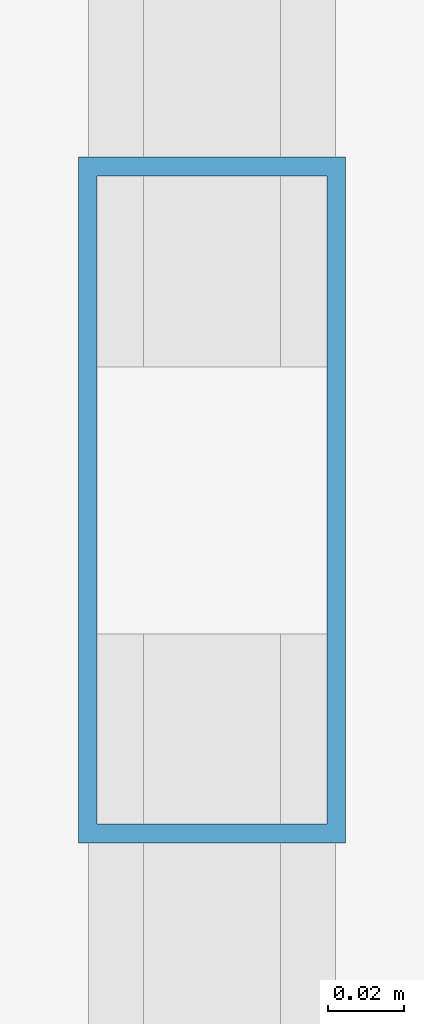
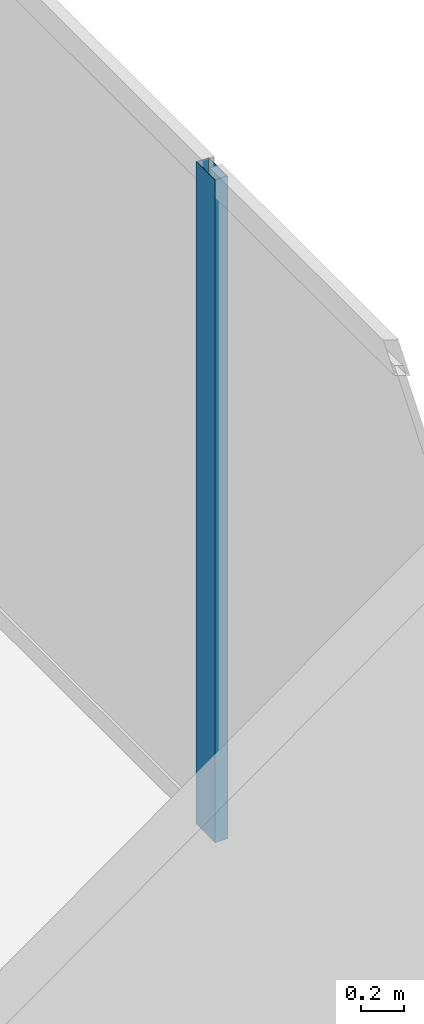
# One storey, part 24 of 33: 1 member, 1 element without a shape of its own.
"""IFC4 building model written with IfcOpenShell, lengths in metres."""

import ifcopenshell
import ifcopenshell.guid

model = None  # the IFC model being written
_history = None  # IfcOwnerHistory: only IFC2X3 demands one
_inside = {}  # id of a spatial element -> (the spatial element, [elements in it])
_under = {}  # id of a project, library or spatial element -> (it, [spatial elements below it])
_declared = {}  # id of a project -> (the project, [libraries it declares])
_typed = {}  # id of a type object -> (the type object, [elements of that type])
_made_of = {}  # id of a material, layer set ... -> (it, [elements and type objects made of it])


def new_model(schema):
    """Start an empty IFC model of exactly this schema.

    Asked for "IFC4X3", IfcOpenShell would pick the latest addendum, in which some entities
    have other attributes; the version numbers below select the first issue.
    IFC2X3 requires an IfcOwnerHistory on every rooted entity: one is made here for all.
    """
    global model, _history
    if schema == "IFC4X3":
        model = ifcopenshell.file(schema_version=(4, 3, 0, 0))
    else:
        model = ifcopenshell.file(schema=schema)
    _inside.clear()
    _under.clear()
    _declared.clear()
    _typed.clear()
    _made_of.clear()
    _history = None
    if model.schema == "IFC2X3":
        org = make("IfcOrganization", Name="unknown")
        user = make(
            "IfcPersonAndOrganization",
            ThePerson=make("IfcPerson", FamilyName="unknown"),
            TheOrganization=org,
        )
        app = make(
            "IfcApplication",
            ApplicationDeveloper=org,
            Version="unknown",
            ApplicationFullName="unknown",
            ApplicationIdentifier="unknown",
        )
        _history = make(
            "IfcOwnerHistory",
            OwningUser=user,
            OwningApplication=app,
            ChangeAction="ADDED",
            CreationDate=0,
        )
    return model


def make(cls, **values):
    """One entity of the class cls with the attributes given. An attribute that is None is left unset."""
    return model.create_entity(
        cls, **{name: value for name, value in values.items() if value is not None}
    )


def rooted(cls, **values):
    """An entity with a GlobalId (a new one), such as an element, a storey or a relation."""
    return make(cls, GlobalId=ifcopenshell.guid.new(), OwnerHistory=_history, **values)


def si_unit(unit_type, name, prefix=None):
    """IfcSIUnit, for example si_unit("LENGTHUNIT", "METRE", prefix="MILLI")."""
    return make("IfcSIUnit", UnitType=unit_type, Prefix=prefix, Name=name)


def assignment(units):
    """IfcUnitAssignment: the units of a project."""
    return None if units is None else make("IfcUnitAssignment", Units=units)


def point(xyz):
    """IfcCartesianPoint."""
    return None if xyz is None else make("IfcCartesianPoint", Coordinates=xyz)


def direction(xyz):
    """IfcDirection."""
    return None if xyz is None else make("IfcDirection", DirectionRatios=xyz)


def frame(location, z_axis=None, x_axis=None):
    """IfcAxis2Placement3D, a coordinate frame: its origin and axes. An axis left out is left unset."""
    return make(
        "IfcAxis2Placement3D",
        Location=point(location),
        Axis=direction(z_axis),
        RefDirection=direction(x_axis),
    )


def frame_2d(location, x_axis=None):
    """IfcAxis2Placement2D, a coordinate frame in the plane: its origin and x axis."""
    return make(
        "IfcAxis2Placement2D", Location=point(location), RefDirection=direction(x_axis)
    )


def origin():
    """The frame at (0, 0, 0) with its axes left unset."""
    return frame((0.0, 0.0, 0.0))


def origin_2d():
    """The frame at (0, 0) in the plane with its x axis left unset."""
    return frame_2d((0.0, 0.0))


def place(relative_to, where):
    """IfcLocalPlacement: puts the frame where relative to a parent placement (None: the world)."""
    return make(
        "IfcLocalPlacement", PlacementRelTo=relative_to, RelativePlacement=where
    )


def context(
    kind, dimensions, precision=None, world=None, true_north=None, identifier=None
):
    """IfcGeometricRepresentationContext, for example the 3D "Model" context."""
    return make(
        "IfcGeometricRepresentationContext",
        ContextIdentifier=identifier,
        ContextType=kind,
        CoordinateSpaceDimension=dimensions,
        Precision=precision,
        WorldCoordinateSystem=world,
        TrueNorth=true_north,
    )


def subcontext(parent, identifier, kind, view, scale=None):
    """IfcGeometricRepresentationSubContext, for example "Body" below "Model"."""
    return make(
        "IfcGeometricRepresentationSubContext",
        ContextIdentifier=identifier,
        ContextType=kind,
        ParentContext=parent,
        TargetScale=scale,
        TargetView=view,
    )


def project(units=None, contexts=None):
    """IfcProject with its units and contexts."""
    return rooted(
        "IfcProject",
        Name="project",
        RepresentationContexts=contexts,
        UnitsInContext=assignment(units),
    )


def spatial(cls, under=None, at=None, **own):
    """A site, building, storey or space (cls), placed at a placement, below another one or the project."""
    s = rooted(cls, ObjectPlacement=at, **own)
    if under is not None:
        _under.setdefault(under.id(), (under, []))[1].append(s)
    return s


def profile(cls, at=None, kind="AREA", **sizes):
    """A parametric profile (cls). Its sizes go by their IFC names, for example OverallWidth=200.0."""
    return make(cls, ProfileType=kind, Position=at, **sizes)


def hollow_rectangle(**sizes):
    """IfcRectangleHollowProfileDef."""
    return profile("IfcRectangleHollowProfileDef", **sizes)


def extrude(swept, where, along, depth):
    """IfcExtrudedAreaSolid: the profile swept, set in the frame where, extruded along a direction by depth."""
    return make(
        "IfcExtrudedAreaSolid",
        SweptArea=swept,
        Position=where,
        ExtrudedDirection=direction(along),
        Depth=depth,
    )


def shape(context_of_items, identifier, shape_type, items):
    """IfcShapeRepresentation: the items that make up one representation, for example the "Body"."""
    return make(
        "IfcShapeRepresentation",
        ContextOfItems=context_of_items,
        RepresentationIdentifier=identifier,
        RepresentationType=shape_type,
        Items=items,
    )


def source(mapping_origin, context_of_items, identifier, shape_type, items):
    """IfcRepresentationMap: a shape defined once, which mapped items show again and again."""
    return make(
        "IfcRepresentationMap",
        MappingOrigin=mapping_origin,
        MappedRepresentation=shape(context_of_items, identifier, shape_type, items),
    )


def transform(
    local_origin,
    x_axis=None,
    y_axis=None,
    z_axis=None,
    scale=None,
    scale2=None,
    scale3=None,
    uniform=True,
):
    """IfcCartesianTransformationOperator3D, or its non-uniform kind. x_axis, y_axis, z_axis: its Axis1, 2, 3."""
    if uniform:
        return make(
            "IfcCartesianTransformationOperator3D",
            Axis1=direction(x_axis),
            Axis2=direction(y_axis),
            LocalOrigin=point(local_origin),
            Scale=scale,
            Axis3=direction(z_axis),
        )
    return make(
        "IfcCartesianTransformationOperator3DnonUniform",
        Axis1=direction(x_axis),
        Axis2=direction(y_axis),
        LocalOrigin=point(local_origin),
        Scale=scale,
        Axis3=direction(z_axis),
        Scale2=scale2,
        Scale3=scale3,
    )


def mapped(mapping_source, mapping_target):
    """IfcMappedItem: shows the shape of a source again, moved by a transform."""
    return make(
        "IfcMappedItem", MappingSource=mapping_source, MappingTarget=mapping_target
    )


def material(Name=None, Category=None):
    """IfcMaterial."""
    return make("IfcMaterial", Name=Name, Category=Category)


def layer(
    of_material, thickness, ventilated=None, Name=None, Category=None, Priority=None
):
    """IfcMaterialLayer: one layer of a wall or slab, of a material (None: an air gap)."""
    return make(
        "IfcMaterialLayer",
        Material=of_material,
        LayerThickness=thickness,
        IsVentilated=ventilated,
        Name=Name,
        Category=Category,
        Priority=Priority,
    )


def layer_set(layers, Name=None):
    """IfcMaterialLayerSet."""
    return make("IfcMaterialLayerSet", MaterialLayers=layers, LayerSetName=Name)


def material_profile(
    of_material, cross_section, Name=None, Category=None, Priority=None
):
    """IfcMaterialProfile: a cross section and its material."""
    return make(
        "IfcMaterialProfile",
        Name=Name,
        Material=of_material,
        Profile=cross_section,
        Priority=Priority,
        Category=Category,
    )


def profile_set(profiles, Name=None, composite=None):
    """IfcMaterialProfileSet."""
    return make(
        "IfcMaterialProfileSet",
        Name=Name,
        MaterialProfiles=profiles,
        CompositeProfile=composite,
    )


def made_of(thing, what):
    """Note that an element or type object is made of a material, layer set ...; save() writes the relation."""
    if what is not None:
        _made_of.setdefault(what.id(), (what, []))[1].append(thing)
    return thing


def type_object(cls, material=None, **own):
    """A type object (cls), such as IfcWallType, which elements share."""
    return made_of(rooted(cls, **own), material)


def type_shapes(of_type, sources):
    """Give a type object the sources (RepresentationMaps) that its elements show as mapped items."""
    of_type.RepresentationMaps = sources


def element(
    cls,
    number,
    at=None,
    inside=None,
    cuts=None,
    type_object=None,
    material=None,
    context=None,
    identifier="Body",
    shape_type=None,
    held_by="IfcProductDefinitionShape",
    body=None,
    shapes=None,
    **own,
):
    """One element of the class cls, such as IfcWall. Its Tag is "e" and its number.

    at: its placement. inside: the storey or other place that contains it. cuts: it is an
    opening in that element (IfcRelVoidsElement). A single representation is given by context,
    identifier, shape_type and body (its items); several are given by shapes. held_by: the class
    of the entity that holds the representations. save() writes the other relations.
    """
    e = rooted(cls, Tag="e%d" % number, ObjectPlacement=at, **own)
    if body is not None:
        shapes = [shape(context, identifier, shape_type, body)]
    if shapes is not None:
        e.Representation = make(held_by, Representations=shapes)
    if inside is not None:
        _inside.setdefault(inside.id(), (inside, []))[1].append(e)
    if cuts is not None:
        rooted(
            "IfcRelVoidsElement", RelatingBuildingElement=cuts, RelatedOpeningElement=e
        )
    if type_object is not None:
        _typed.setdefault(type_object.id(), (type_object, []))[1].append(e)
    return made_of(e, material)


def aggregate(whole, parts):
    """IfcRelAggregates: a whole, such as a stair, and the parts it consists of."""
    return rooted("IfcRelAggregates", RelatingObject=whole, RelatedObjects=parts)


def save(model, path):
    """Write the relations noted so far, then the file.

    IfcRelAggregates (storeys below a building ...), IfcRelContainedInSpatialStructure (elements
    in a storey), IfcRelDefinesByType, IfcRelAssociatesMaterial and IfcRelDeclares: one each for
    every whole, place, type object, material and project.
    """
    for whole, parts in _under.values():
        aggregate(whole, parts)
    for where, things in _inside.values():
        rooted(
            "IfcRelContainedInSpatialStructure",
            RelatedElements=things,
            RelatingStructure=where,
        )
    for kind, things in _typed.values():
        rooted("IfcRelDefinesByType", RelatedObjects=things, RelatingType=kind)
    for what, things in _made_of.values():
        rooted("IfcRelAssociatesMaterial", RelatedObjects=things, RelatingMaterial=what)
    for by, libraries in _declared.values():
        rooted("IfcRelDeclares", RelatingContext=by, RelatedDefinitions=libraries)
    model.write(path)


model = new_model("IFC4")

# Units and contexts
model_context = context("Model", 3, precision=1e-05, world=origin(), true_north=direction((0.0, 1.0)))
body_context = subcontext(model_context, "Body", "Model", "MODEL_VIEW")
ifc_project = project(units=[si_unit("LENGTHUNIT", "METRE"), si_unit("AREAUNIT", "SQUARE_METRE"), si_unit("VOLUMEUNIT", "CUBIC_METRE"), si_unit("PLANEANGLEUNIT", "RADIAN"), si_unit("MASSUNIT", "GRAM", prefix="KILO")], contexts=[model_context])

# Site, building, storey
site_placement = place(None, origin())
site = spatial("IfcSite", under=ifc_project, at=site_placement, CompositionType="ELEMENT")
building_placement = place(site_placement, origin())
building = spatial("IfcBuilding", under=site, at=building_placement, Name="Haelvirn Gate Laboratories", CompositionType="ELEMENT")
storey_placement = place(building_placement, frame((0.0, 0.0, 213.699951171875)))
storey = spatial("IfcBuildingStorey", under=building, at=storey_placement, Name="L51", CompositionType="ELEMENT", Elevation=213.699951171875)

# Curtain wall, member
ifc_material_1 = material(Name="Anodised bronze unitised aluminium & triple low-E glass", Category="aluminium")
ifc_layer = layer(ifc_material_1, 0.176025390625, Name="CW-SYS-4")
ifc_layer_set = layer_set([ifc_layer], Name="Anodised bronze unitised aluminium & triple low-E glass")
curtain_wall_type = type_object("IfcCurtainWallType", Name="CW-SYS-4", PredefinedType="NOTDEFINED", material=ifc_layer_set)
curtain_wall_placement = place(storey_placement, origin())
curtain_wall = element("IfcCurtainWall", 1, at=curtain_wall_placement, inside=storey, type_object=curtain_wall_type, Name="L51 Unitised Curtain Wall CW-L51-P0-E07", PredefinedType="NOTDEFINED")
ifc_material_2 = material(Name="Extruded aluminium 6063-T6 (anodised bronze)", Category="aluminium")
ifc_material_profile = material_profile(ifc_material_2, hollow_rectangle(XDim=0.070068359375, YDim=0.179931640625, WallThickness=0.0048828125, at=origin_2d()), Name="CWM-180x70x5")
ifc_profile_set = profile_set([ifc_material_profile], Name="Extruded aluminium 6063-T6 (anodised bronze)")
member_type = type_object("IfcMemberType", Name="CWM-T180", PredefinedType="MULLION", material=ifc_profile_set)
shared_shape = source(origin(), body_context, "Body", "SweptSolid", [
    extrude(hollow_rectangle(XDim=0.070068359375, YDim=0.179931640625, WallThickness=0.0048828125, at=origin_2d()), origin(), (0.0, 0.0, 1.0), 3.800048828125),
])
type_shapes(member_type, [shared_shape])
member_placement = place(storey_placement, frame((70.699951171875, 24.300048828125, 0.0), z_axis=(0.0, 0.0, 1.0), x_axis=(-1.0, 0.0, 0.0)))
member = element("IfcMember", 2, at=member_placement, type_object=member_type, Name="CW4 mullion 2", PredefinedType="MULLION", context=body_context, shape_type="MappedRepresentation", body=[
    mapped(shared_shape, transform((0.0, 0.0, 0.0), scale=1.0)),
])
aggregate(curtain_wall, [member])

save(model, "model.ifc")
